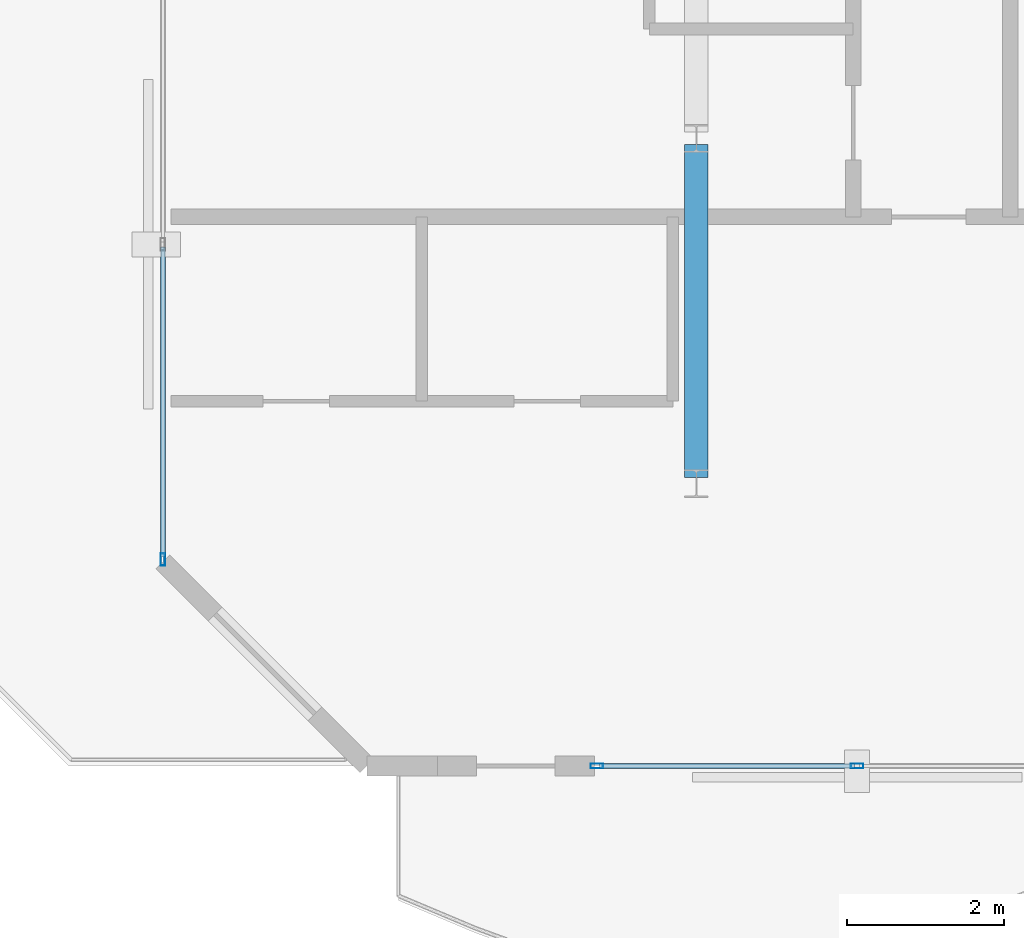
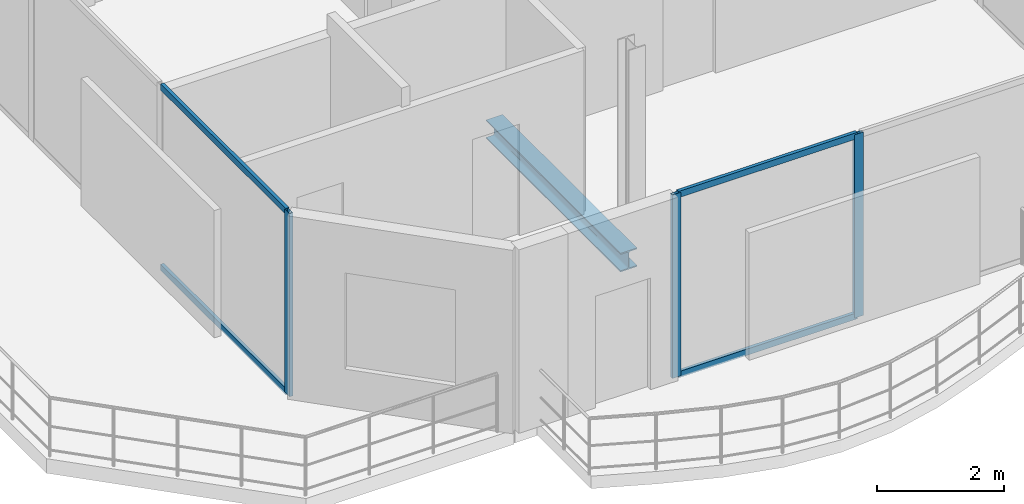
# One storey, part 2 of 18: 7 members, 1 beam, 2 elements without a shape of their own.
"""IFC4 building model written with IfcOpenShell, lengths in metres."""

from ifc_helpers import new_model, si_unit, direction, frame, origin, origin_2d, place, context, subcontext, project, spatial, hollow_rectangle, i_section, extrude, material, layer, layer_set, material_profile, profile_set, type_object, element, aggregate, save


model = new_model("IFC4")

# Units and contexts
model_context = context("Model", 3, precision=1e-05, world=origin(), true_north=direction((0.0, 1.0)))
body_context = subcontext(model_context, "Body", "Model", "MODEL_VIEW")
ifc_project = project(units=[si_unit("LENGTHUNIT", "METRE"), si_unit("AREAUNIT", "SQUARE_METRE"), si_unit("VOLUMEUNIT", "CUBIC_METRE"), si_unit("PLANEANGLEUNIT", "RADIAN"), si_unit("MASSUNIT", "GRAM", prefix="KILO")], contexts=[model_context])

# Site, building, storey
site_placement = place(None, origin())
site = spatial("IfcSite", under=ifc_project, at=site_placement, CompositionType="ELEMENT")
building_placement = place(site_placement, origin())
building = spatial("IfcBuilding", under=site, at=building_placement, Name="Catumbela Crestline Tower", CompositionType="ELEMENT")
storey_placement = place(building_placement, frame((0.0, 0.0, 264.0)))
storey = spatial("IfcBuildingStorey", under=building, at=storey_placement, Name="L68", CompositionType="ELEMENT", Elevation=264.0)

# Beam
ifc_material_1 = material(Name="Structural steel S355J2", Category="steel")
ifc_material_profile_1 = material_profile(ifc_material_1, i_section(OverallWidth=0.3, OverallDepth=0.36, WebThickness=0.0125, FlangeThickness=0.0225, FilletRadius=0.027, at=origin_2d()), Name="HEB 360")
ifc_profile_set_1 = profile_set([ifc_material_profile_1], Name="Structural steel S355J2")
beam_type = type_object("IfcBeamType", Name="BG-HEB360", PredefinedType="BEAM", material=ifc_profile_set_1)
beam_placement = place(storey_placement, frame((16.0, 13.68, -0.44), z_axis=(0.0, 1.0, 0.0), x_axis=(-1.0, 0.0, 0.0)))
element("IfcBeam", 1, at=beam_placement, inside=storey, type_object=beam_type, Name="L68 Beam BM-L68-WNS18", PredefinedType="BEAM", context=body_context, shape_type="SweptSolid", body=[
    extrude(i_section(OverallWidth=0.3, OverallDepth=0.36, WebThickness=0.0125, FlangeThickness=0.0225, FilletRadius=0.027, at=origin_2d()), origin(), (0.0, 0.0, 1.0), 4.24),
])

# Curtain wall, members
ifc_material_2 = material(Name="Aluminium alloy AW-6060-T66", Category="aluminium")
ifc_layer = layer(ifc_material_2, 0.18, Name="Aluminium alloy AW-6060-T66")
ifc_layer_set = layer_set([ifc_layer], Name="Aluminium alloy AW-6060-T66")
curtain_wall_type = type_object("IfcCurtainWallType", Name="CWU-Z4", PredefinedType="USERDEFINED", material=ifc_layer_set)
curtain_wall_1_placement = place(storey_placement, origin())
curtain_wall_1 = element("IfcCurtainWall", 2, at=curtain_wall_1_placement, inside=storey, type_object=curtain_wall_type, Name="L68 Unitised Curtain Wall CW-L68-E0S2", ObjectType="UNITISED", PredefinedType="USERDEFINED")
ifc_material_profile_2 = material_profile(ifc_material_2, hollow_rectangle(XDim=0.06, YDim=0.16, WallThickness=0.004, at=origin_2d()), Name="ALU 160x60x4")
ifc_profile_set_2 = profile_set([ifc_material_profile_2], Name="Aluminium alloy AW-6060-T66")
member_type_1 = type_object("IfcMemberType", Name="MUL-160X60", PredefinedType="MULLION", material=ifc_profile_set_2)
member_1_placement = place(storey_placement, frame((14.7325, 10.0, 0.0), z_axis=(0.0, 0.0, 1.0), x_axis=(0.0, 1.0, 0.0)))
member_1 = element("IfcMember", 3, at=member_1_placement, type_object=member_type_1, Name="CWU-Z4 mullion 1", PredefinedType="MULLION", context=body_context, shape_type="SweptSolid", body=[
    extrude(hollow_rectangle(XDim=0.06, YDim=0.16, WallThickness=0.004, at=origin_2d()), origin(), (0.0, 0.0, 1.0), 3.53),
])
member_2_placement = place(storey_placement, frame((18.05, 10.0, 0.0), z_axis=(0.0, 0.0, 1.0), x_axis=(0.0, 1.0, 0.0)))
member_2 = element("IfcMember", 4, at=member_2_placement, type_object=member_type_1, Name="CWU-Z4 mullion 2", PredefinedType="MULLION", context=body_context, shape_type="SweptSolid", body=[
    extrude(hollow_rectangle(XDim=0.06, YDim=0.16, WallThickness=0.004, at=origin_2d()), origin(), (0.0, 0.0, 1.0), 3.53),
])

# Curtain wall, member
curtain_wall_2_placement = place(storey_placement, origin())
curtain_wall_2 = element("IfcCurtainWall", 5, at=curtain_wall_2_placement, inside=storey, type_object=curtain_wall_type, Name="L68 Unitised Curtain Wall CW-L68-E9S2", ObjectType="UNITISED", PredefinedType="USERDEFINED")
member_3_placement = place(storey_placement, frame((9.2, 12.6325, 0.0), z_axis=(0.0, 0.0, 1.0), x_axis=(1.0, 0.0, 0.0)))
member_3 = element("IfcMember", 6, at=member_3_placement, type_object=member_type_1, Name="CWU-Z4 mullion 5", PredefinedType="MULLION", context=body_context, shape_type="SweptSolid", body=[
    extrude(hollow_rectangle(XDim=0.06, YDim=0.16, WallThickness=0.004, at=origin_2d()), origin(), (0.0, 0.0, 1.0), 3.53),
])

# Member
ifc_material_profile_3 = material_profile(ifc_material_2, hollow_rectangle(XDim=0.06, YDim=0.12, WallThickness=0.0035, at=origin_2d()), Name="ALU 120x60x3.5")
ifc_profile_set_3 = profile_set([ifc_material_profile_3], Name="Aluminium alloy AW-6060-T66")
member_type_2 = type_object("IfcMemberType", Name="TRN-120X60", PredefinedType="USERDEFINED", material=ifc_profile_set_3)
member_4_placement = place(storey_placement, frame((14.765, 10.0, 0.03), z_axis=(1.0, 0.0, 0.0), x_axis=(0.0, 1.0, 0.0)))
member_4 = element("IfcMember", 7, at=member_4_placement, type_object=member_type_2, Name="CWU-Z4 transom 1.1", ObjectType="TRANSOM", PredefinedType="USERDEFINED", context=body_context, shape_type="SweptSolid", body=[
    extrude(hollow_rectangle(XDim=0.06, YDim=0.12, WallThickness=0.0035, at=origin_2d()), origin(), (0.0, 0.0, 1.0), 3.2525),
])

member_5_placement = place(storey_placement, frame((14.765, 10.0, 3.5), z_axis=(1.0, 0.0, 0.0), x_axis=(0.0, 1.0, 0.0)))
member_5 = element("IfcMember", 8, at=member_5_placement, type_object=member_type_2, Name="CWU-Z4 transom 1.2", ObjectType="TRANSOM", PredefinedType="USERDEFINED", context=body_context, shape_type="SweptSolid", body=[
    extrude(hollow_rectangle(XDim=0.06, YDim=0.12, WallThickness=0.0035, at=origin_2d()), origin(), (0.0, 0.0, 1.0), 3.2525),
])

aggregate(curtain_wall_1, [member_1, member_2, member_4, member_5])

member_6_placement = place(storey_placement, frame((9.2, 16.6175, 0.03), z_axis=(0.0, -1.0, 0.0), x_axis=(1.0, 0.0, 0.0)))
member_6 = element("IfcMember", 9, at=member_6_placement, type_object=member_type_2, Name="CWU-Z4 transom 4.1", ObjectType="TRANSOM", PredefinedType="USERDEFINED", context=body_context, shape_type="SweptSolid", body=[
    extrude(hollow_rectangle(XDim=0.06, YDim=0.12, WallThickness=0.0035, at=origin_2d()), origin(), (0.0, 0.0, 1.0), 3.9525),
])

member_7_placement = place(storey_placement, frame((9.2, 16.6175, 3.5), z_axis=(0.0, -1.0, 0.0), x_axis=(1.0, 0.0, 0.0)))
member_7 = element("IfcMember", 10, at=member_7_placement, type_object=member_type_2, Name="CWU-Z4 transom 4.2", ObjectType="TRANSOM", PredefinedType="USERDEFINED", context=body_context, shape_type="SweptSolid", body=[
    extrude(hollow_rectangle(XDim=0.06, YDim=0.12, WallThickness=0.0035, at=origin_2d()), origin(), (0.0, 0.0, 1.0), 3.9525),
])

aggregate(curtain_wall_2, [member_3, member_6, member_7])

save(model, "model.ifc")
